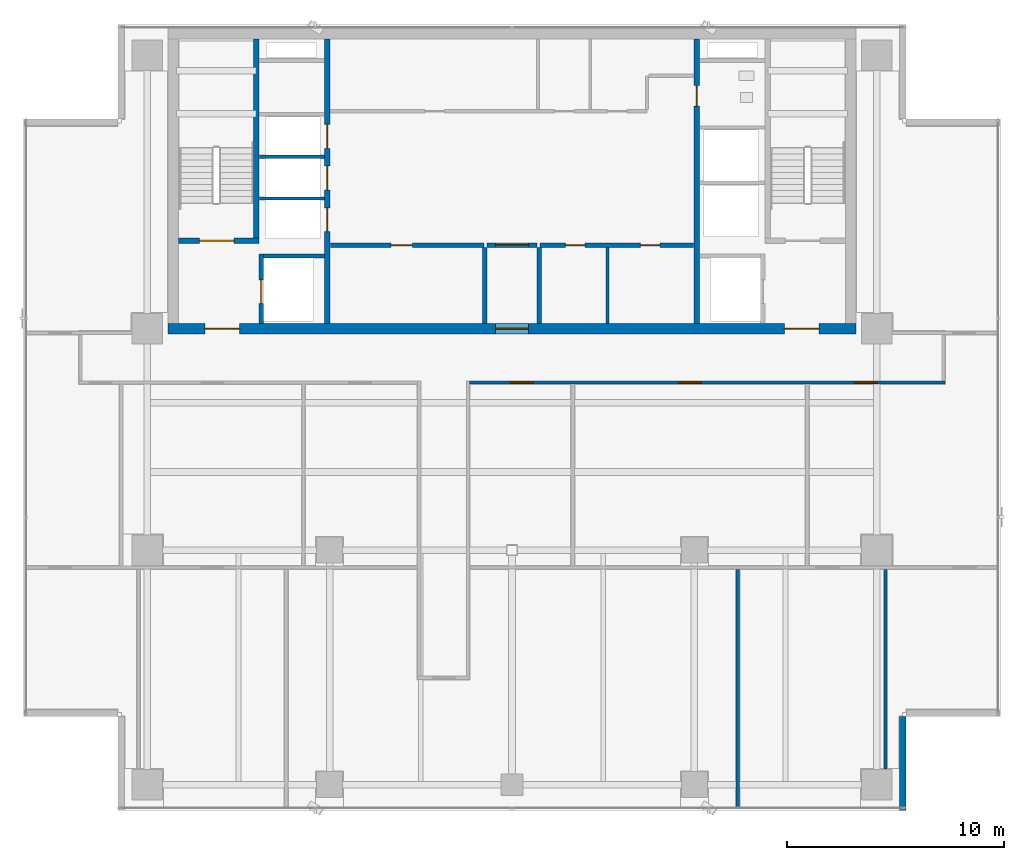
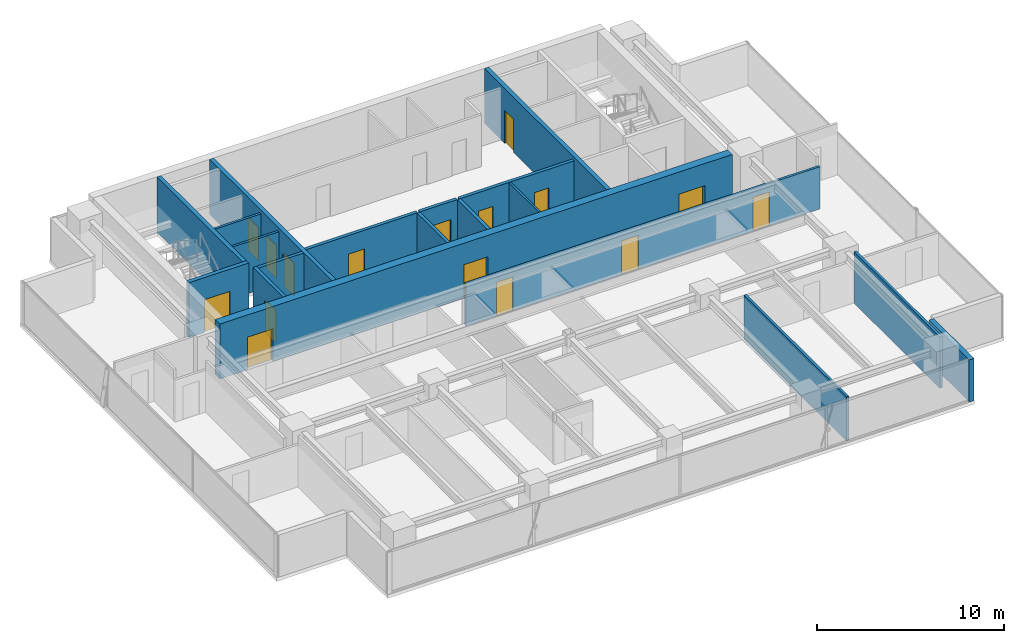
# One storey, part 20 of 26: 19 walls, 16 doors, 16 openings.
"""IFC4 building model written with IfcOpenShell, lengths in metres."""

from ifc_helpers import new_model, si_unit, direction, frame, frame_2d, origin, place, context, subcontext, project, spatial, rectangle, extrude, source, transform, mapped, material, layer, layer_set, type_object, element, fill, save


model = new_model("IFC4")

# Units and contexts
model_context = context("Model", 3, precision=1e-05, world=origin(), true_north=direction((0.0, 1.0)))
body_context = subcontext(model_context, "Body", "Model", "MODEL_VIEW")
ifc_project = project(units=[si_unit("LENGTHUNIT", "METRE"), si_unit("AREAUNIT", "SQUARE_METRE"), si_unit("VOLUMEUNIT", "CUBIC_METRE"), si_unit("PLANEANGLEUNIT", "RADIAN"), si_unit("MASSUNIT", "GRAM", prefix="KILO")], contexts=[model_context])

# Site, building, storey
site_placement = place(None, origin())
site = spatial("IfcSite", under=ifc_project, at=site_placement, CompositionType="ELEMENT")
building_placement = place(site_placement, origin())
building = spatial("IfcBuilding", under=site, at=building_placement, Name="Sumidabori Civic Tower", CompositionType="ELEMENT")
storey_placement = place(building_placement, frame((0.0, 0.0, 243.199951171875)))
storey = spatial("IfcBuildingStorey", under=building, at=storey_placement, Name="L63", CompositionType="ELEMENT", Elevation=243.199951171875)

# Wall
ifc_material_1 = material(Name="Concrete C50/60", Category="concrete")
ifc_layer_1 = layer(ifc_material_1, 0.199951171875, Name="Concrete C50/60")
ifc_layer_set_1 = layer_set([ifc_layer_1], Name="Concrete C50/60")
wall_type_1 = type_object("IfcWallType", Name="WL-SHAFT-200", PredefinedType="SHEAR", material=ifc_layer_set_1)
shared_shape_1 = source(origin(), body_context, "Body", "SweptSolid", [
    extrude(rectangle(XDim=2.824951171875, YDim=0.199951171875, at=frame_2d((1.41259765625, 0.0))), origin(), (0.0, 0.0, 1.0), 3.60009765625),
])
wall_1_placement = place(storey_placement, frame((-11.449951171875, 13.550048828125, 0.0), z_axis=(0.0, 0.0, 1.0), x_axis=(1.0, 0.0, 0.0)))
element("IfcWall", 1, at=wall_1_placement, inside=storey, type_object=wall_type_1, Name="Core Shear Wall L63 EL1-N", PredefinedType="SHEAR", context=body_context, shape_type="MappedRepresentation", body=[
    mapped(shared_shape_1, transform((0.0, 0.0, 0.0), x_axis=(1.0, 0.0, 0.0), y_axis=(0.0, 1.0, 0.0), z_axis=(0.0, 0.0, 1.0), scale=1.0)),
])

# Wall, openings, doors
ifc_layer_2 = layer(ifc_material_1, 0.5, Name="Concrete C50/60")
ifc_layer_set_2 = layer_set([ifc_layer_2], Name="Concrete C50/60")
wall_type_2 = type_object("IfcWallType", Name="WL-CORE-500", PredefinedType="SHEAR", material=ifc_layer_set_2)
shared_shape_2 = source(origin(), body_context, "Body", "SweptSolid", [
    extrude(rectangle(XDim=31.7001953125, YDim=0.5, at=frame_2d((15.85009765625, 0.0))), origin(), (0.0, 0.0, 1.0), 3.60009765625),
])
wall_2_placement = place(storey_placement, frame((-15.85009765625, 10.199951171875, 0.0), z_axis=(0.0, 0.0, 1.0), x_axis=(1.0, 0.0, 0.0)))
wall_2 = element("IfcWall", 2, at=wall_2_placement, inside=storey, type_object=wall_type_2, Name="Core Shear Wall L63 S", PredefinedType="SHEAR", context=body_context, shape_type="MappedRepresentation", body=[
    mapped(shared_shape_2, transform((0.0, 0.0, 0.0), x_axis=(1.0, 0.0, 0.0), y_axis=(0.0, 1.0, 0.0), z_axis=(0.0, 0.0, 1.0), scale=1.0)),
])
opening_1_placement = place(wall_2_placement, frame((1.699951171875, 0.0, 0.0)))
opening_1 = element("IfcOpeningElement", 3, at=opening_1_placement, cuts=wall_2, Name="Opening DR-FD4", PredefinedType="OPENING", context=body_context, shape_type="SweptSolid", body=[
    extrude(rectangle(XDim=1.60009765625, YDim=2.14990234375, at=frame_2d((0.800048828125, 1.074951171875))), frame((0.0, 0.261962890625, 0.0), z_axis=(0.0, -1.0, 0.0), x_axis=(1.0, 0.0, 0.0)), (0.0, 0.0, 1.0), 0.52392578125),
])
opening_2_placement = place(wall_2_placement, frame((28.39990234375, 0.0, 0.0)))
opening_2 = element("IfcOpeningElement", 4, at=opening_2_placement, cuts=wall_2, Name="Opening DR-FD4", PredefinedType="OPENING", context=body_context, shape_type="SweptSolid", body=[
    extrude(rectangle(XDim=1.60009765625, YDim=2.14990234375, at=frame_2d((0.800048828125, 1.074951171875))), frame((0.0, 0.261962890625, 0.0), z_axis=(0.0, -1.0, 0.0), x_axis=(1.0, 0.0, 0.0)), (0.0, 0.0, 1.0), 0.52392578125),
])
opening_3_placement = place(wall_2_placement, frame((15.10009765625, 0.0, 0.0)))
opening_3 = element("IfcOpeningElement", 5, at=opening_3_placement, cuts=wall_2, Name="Opening DR-FD3", PredefinedType="OPENING", context=body_context, shape_type="SweptSolid", body=[
    extrude(rectangle(XDim=1.5, YDim=2.199951171875, at=frame_2d((0.75, 1.10009765625))), frame((0.0, 0.261962890625, 0.0), z_axis=(0.0, -1.0, 0.0), x_axis=(1.0, 0.0, 0.0)), (0.0, 0.0, 1.0), 0.52392578125),
])
ifc_material_2 = material(Name="Steel SN490", Category="steel")
door_type_1 = type_object("IfcDoorType", Name="DR-FD4", OperationType="DOUBLE_DOOR_SINGLE_SWING", PredefinedType="DOOR", material=ifc_material_2)
shared_shape_3 = source(origin(), body_context, "Body", "SweptSolid", [
    extrude(rectangle(XDim=1.60009765625, YDim=2.14990234375, at=frame_2d((0.800048828125, 1.074951171875))), frame((0.0, 0.02490234375, 0.0), z_axis=(0.0, -1.0, 0.0), x_axis=(1.0, 0.0, 0.0)), (0.0, 0.0, 1.0), 0.050048828125),
])
door_1_placement = place(opening_1_placement, origin())
door_1 = element("IfcDoor", 6, at=door_1_placement, inside=storey, type_object=door_type_1, Name="Door DR:L63:ELOB-W", OperationType="DOUBLE_DOOR_SINGLE_SWING", OverallHeight=2.14990234375, OverallWidth=1.60009765625, PredefinedType="DOOR", context=body_context, shape_type="MappedRepresentation", body=[
    mapped(shared_shape_3, transform((0.0, 0.0, 0.0), x_axis=(1.0, 0.0, 0.0), y_axis=(0.0, 1.0, 0.0), z_axis=(0.0, 0.0, 1.0), scale=1.0)),
])
fill(opening_1, door_1)
door_2_placement = place(opening_2_placement, origin())
door_2 = element("IfcDoor", 7, at=door_2_placement, inside=storey, type_object=door_type_1, Name="Door DR:L63:ELOB-E", OperationType="DOUBLE_DOOR_SINGLE_SWING", OverallHeight=2.14990234375, OverallWidth=1.60009765625, PredefinedType="DOOR", context=body_context, shape_type="MappedRepresentation", body=[
    mapped(shared_shape_3, transform((0.0, 0.0, 0.0), x_axis=(1.0, 0.0, 0.0), y_axis=(0.0, 1.0, 0.0), z_axis=(0.0, 0.0, 1.0), scale=1.0)),
])
fill(opening_2, door_2)
door_type_2 = type_object("IfcDoorType", Name="DR-FD-DBL", OperationType="DOUBLE_DOOR_SINGLE_SWING", PredefinedType="DOOR", material=ifc_material_2)
shared_shape_4 = source(origin(), body_context, "Body", "SweptSolid", [
    extrude(rectangle(XDim=1.5, YDim=2.199951171875, at=frame_2d((0.75, 1.10009765625))), frame((0.0, 0.02490234375, 0.0), z_axis=(0.0, -1.0, 0.0), x_axis=(1.0, 0.0, 0.0)), (0.0, 0.0, 1.0), 0.050048828125),
])
door_3_placement = place(opening_3_placement, origin())
door_3 = element("IfcDoor", 8, at=door_3_placement, inside=storey, type_object=door_type_2, Name="Door DR:L63:THROAT-OUT", OperationType="DOUBLE_DOOR_SINGLE_SWING", OverallHeight=2.199951171875, OverallWidth=1.5, PredefinedType="DOOR", context=body_context, shape_type="MappedRepresentation", body=[
    mapped(shared_shape_4, transform((0.0, 0.0, 0.0), x_axis=(1.0, 0.0, 0.0), y_axis=(0.0, 1.0, 0.0), z_axis=(0.0, 0.0, 1.0), scale=1.0)),
])
fill(opening_3, door_3)

ifc_layer_3 = layer(ifc_material_1, 0.25, Name="Concrete C50/60")
ifc_layer_set_3 = layer_set([ifc_layer_3], Name="Concrete C50/60")
wall_type_3 = type_object("IfcWallType", Name="WL-SHAFT-250", PredefinedType="SHEAR", material=ifc_layer_set_3)
shared_shape_5 = source(origin(), body_context, "Body", "SweptSolid", [
    extrude(rectangle(XDim=13.10009765625, YDim=0.25, at=frame_2d((6.550048828125, 0.0))), origin(), (0.0, 0.0, 1.0), 3.60009765625),
])
wall_3_placement = place(storey_placement, frame((-8.5, 10.449951171875, 0.0), z_axis=(0.0, 0.0, 1.0), x_axis=(0.0, 1.0, 0.0)))
wall_3 = element("IfcWall", 9, at=wall_3_placement, inside=storey, type_object=wall_type_3, Name="Core Shear Wall L63 WEB-W", PredefinedType="SHEAR", context=body_context, shape_type="MappedRepresentation", body=[
    mapped(shared_shape_5, transform((0.0, 0.0, 0.0), x_axis=(1.0, 0.0, 0.0), y_axis=(0.0, 1.0, 0.0), z_axis=(0.0, 0.0, 1.0), scale=1.0)),
])
opening_4_placement = place(wall_3_placement, frame((4.219970703125, 0.0, 0.0)))
opening_4 = element("IfcOpeningElement", 10, at=opening_4_placement, cuts=wall_3, Name="Opening LD-1", PredefinedType="OPENING", context=body_context, shape_type="SweptSolid", body=[
    extrude(rectangle(XDim=1.10009765625, YDim=2.14990234375, at=frame_2d((0.550048828125, 1.074951171875))), frame((0.0, 0.136962890625, 0.0), z_axis=(0.0, -1.0, 0.0), x_axis=(1.0, 0.0, 0.0)), (0.0, 0.0, 1.0), 0.27392578125),
])
opening_5_placement = place(wall_3_placement, frame((6.139892578125, 0.0, 0.0)))
opening_5 = element("IfcOpeningElement", 11, at=opening_5_placement, cuts=wall_3, Name="Opening LD-1", PredefinedType="OPENING", context=body_context, shape_type="SweptSolid", body=[
    extrude(rectangle(XDim=1.10009765625, YDim=2.14990234375, at=frame_2d((0.550048828125, 1.074951171875))), frame((0.0, 0.136962890625, 0.0), z_axis=(0.0, -1.0, 0.0), x_axis=(1.0, 0.0, 0.0)), (0.0, 0.0, 1.0), 0.27392578125),
])
opening_6_placement = place(wall_3_placement, frame((8.06005859375, 0.0, 0.0)))
opening_6 = element("IfcOpeningElement", 12, at=opening_6_placement, cuts=wall_3, Name="Opening LD-1", PredefinedType="OPENING", context=body_context, shape_type="SweptSolid", body=[
    extrude(rectangle(XDim=1.10009765625, YDim=2.14990234375, at=frame_2d((0.550048828125, 1.074951171875))), frame((0.0, 0.136962890625, 0.0), z_axis=(0.0, -1.0, 0.0), x_axis=(1.0, 0.0, 0.0)), (0.0, 0.0, 1.0), 0.27392578125),
])
ifc_material_3 = material(Name="Stainless Steel Hairline Finish", Category="steel")
door_type_3 = type_object("IfcDoorType", Name="DR-LD1", OperationType="DOUBLE_DOOR_SLIDING", PredefinedType="DOOR", material=ifc_material_3)
shared_shape_6 = source(origin(), body_context, "Body", "SweptSolid", [
    extrude(rectangle(XDim=1.10009765625, YDim=2.14990234375, at=frame_2d((0.550048828125, 1.074951171875))), frame((0.0, 0.02490234375, 0.0), z_axis=(0.0, -1.0, 0.0), x_axis=(1.0, 0.0, 0.0)), (0.0, 0.0, 1.0), 0.050048828125),
])
door_4_placement = place(opening_4_placement, origin())
door_4 = element("IfcDoor", 13, at=door_4_placement, inside=storey, type_object=door_type_3, Name="Door DR:L63:LD-PLH1", OperationType="DOUBLE_DOOR_SLIDING", OverallHeight=2.14990234375, OverallWidth=1.10009765625, PredefinedType="DOOR", context=body_context, shape_type="MappedRepresentation", body=[
    mapped(shared_shape_6, transform((0.0, 0.0, 0.0), x_axis=(1.0, 0.0, 0.0), y_axis=(0.0, 1.0, 0.0), z_axis=(0.0, 0.0, 1.0), scale=1.0)),
])
fill(opening_4, door_4)
door_5_placement = place(opening_5_placement, origin())
door_5 = element("IfcDoor", 14, at=door_5_placement, inside=storey, type_object=door_type_3, Name="Door DR:L63:LD-PLH2", OperationType="DOUBLE_DOOR_SLIDING", OverallHeight=2.14990234375, OverallWidth=1.10009765625, PredefinedType="DOOR", context=body_context, shape_type="MappedRepresentation", body=[
    mapped(shared_shape_6, transform((0.0, 0.0, 0.0), x_axis=(1.0, 0.0, 0.0), y_axis=(0.0, 1.0, 0.0), z_axis=(0.0, 0.0, 1.0), scale=1.0)),
])
fill(opening_5, door_5)
door_6_placement = place(opening_6_placement, origin())
door_6 = element("IfcDoor", 15, at=door_6_placement, inside=storey, type_object=door_type_3, Name="Door DR:L63:LD-PLH3", OperationType="DOUBLE_DOOR_SLIDING", OverallHeight=2.14990234375, OverallWidth=1.10009765625, PredefinedType="DOOR", context=body_context, shape_type="MappedRepresentation", body=[
    mapped(shared_shape_6, transform((0.0, 0.0, 0.0), x_axis=(1.0, 0.0, 0.0), y_axis=(0.0, 1.0, 0.0), z_axis=(0.0, 0.0, 1.0), scale=1.0)),
])
fill(opening_6, door_6)

# Wall, opening, door
wall_4_placement = place(storey_placement, frame((8.5, 10.449951171875, 0.0), z_axis=(0.0, 0.0, 1.0), x_axis=(0.0, 1.0, 0.0)))
wall_4 = element("IfcWall", 16, at=wall_4_placement, inside=storey, type_object=wall_type_3, Name="Core Shear Wall L63 WEB-E", PredefinedType="SHEAR", context=body_context, shape_type="MappedRepresentation", body=[
    mapped(shared_shape_5, transform((0.0, 0.0, 0.0), x_axis=(1.0, 0.0, 0.0), y_axis=(0.0, 1.0, 0.0), z_axis=(0.0, 0.0, 1.0), scale=1.0)),
])
opening_7_placement = place(wall_4_placement, frame((10.0, 0.0, 0.0)))
opening_7 = element("IfcOpeningElement", 17, at=opening_7_placement, cuts=wall_4, Name="Opening DR-2", PredefinedType="OPENING", context=body_context, shape_type="SweptSolid", body=[
    extrude(rectangle(XDim=0.949951171875, YDim=2.14990234375, at=frame_2d((0.47509765625, 1.074951171875))), frame((0.0, 0.136962890625, 0.0), z_axis=(0.0, -1.0, 0.0), x_axis=(1.0, 0.0, 0.0)), (0.0, 0.0, 1.0), 0.27392578125),
])
ifc_material_4 = material(Name="Japanese Hinoki Timber", Category="wood")
door_type_4 = type_object("IfcDoorType", Name="DR-INT-950", OperationType="NOTDEFINED", PredefinedType="DOOR", material=ifc_material_4)
shared_shape_7 = source(origin(), body_context, "Body", "SweptSolid", [
    extrude(rectangle(XDim=0.949951171875, YDim=2.14990234375, at=frame_2d((0.47509765625, 1.074951171875))), frame((0.0, 0.02490234375, 0.0), z_axis=(0.0, -1.0, 0.0), x_axis=(1.0, 0.0, 0.0)), (0.0, 0.0, 1.0), 0.050048828125),
])
door_7_placement = place(opening_7_placement, origin())
door_7 = element("IfcDoor", 18, at=door_7_placement, inside=storey, type_object=door_type_4, Name="Door DR:L63:WC-ACC", OperationType="SINGLE_SWING_RIGHT", OverallHeight=2.14990234375, OverallWidth=0.949951171875, PredefinedType="DOOR", context=body_context, shape_type="MappedRepresentation", body=[
    mapped(shared_shape_7, transform((0.0, 0.0, 0.0), x_axis=(1.0, 0.0, 0.0), y_axis=(0.0, 1.0, 0.0), z_axis=(0.0, 0.0, 1.0), scale=1.0)),
])
fill(opening_7, door_7)

shared_shape_8 = source(origin(), body_context, "Body", "SweptSolid", [
    extrude(rectangle(XDim=3.705078125, YDim=0.25, at=frame_2d((1.8525390625, 0.0))), origin(), (0.0, 0.0, 1.0), 3.60009765625),
])
wall_5_placement = place(storey_placement, frame((-15.35009765625, 14.25, 0.0), z_axis=(0.0, 0.0, 1.0), x_axis=(1.0, 0.0, 0.0)))
wall_5 = element("IfcWall", 19, at=wall_5_placement, inside=storey, type_object=wall_type_3, Name="Core Shear Wall L63 ST1-S", PredefinedType="SHEAR", context=body_context, shape_type="MappedRepresentation", body=[
    mapped(shared_shape_8, transform((0.0, 0.0, 0.0), x_axis=(1.0, 0.0, 0.0), y_axis=(0.0, 1.0, 0.0), z_axis=(0.0, 0.0, 1.0), scale=1.0)),
])
opening_8_placement = place(wall_5_placement, frame((0.949951171875, 0.0, 0.0)))
opening_8 = element("IfcOpeningElement", 20, at=opening_8_placement, cuts=wall_5, Name="Opening DR-FD4", PredefinedType="OPENING", context=body_context, shape_type="SweptSolid", body=[
    extrude(rectangle(XDim=1.60009765625, YDim=2.14990234375, at=frame_2d((0.800048828125, 1.074951171875))), frame((0.0, 0.136962890625, 0.0), z_axis=(0.0, -1.0, 0.0), x_axis=(1.0, 0.0, 0.0)), (0.0, 0.0, 1.0), 0.27392578125),
])
door_8_placement = place(opening_8_placement, origin())
door_8 = element("IfcDoor", 21, at=door_8_placement, inside=storey, type_object=door_type_1, Name="Door DR:L63:ST1", OperationType="DOUBLE_DOOR_SINGLE_SWING", OverallHeight=2.14990234375, OverallWidth=1.60009765625, PredefinedType="DOOR", context=body_context, shape_type="MappedRepresentation", body=[
    mapped(shared_shape_3, transform((0.0, 0.0, 0.0), x_axis=(1.0, 0.0, 0.0), y_axis=(0.0, 1.0, 0.0), z_axis=(0.0, 0.0, 1.0), scale=1.0)),
])
fill(opening_8, door_8)

# Wall
shared_shape_9 = source(origin(), body_context, "Body", "SweptSolid", [
    extrude(rectangle(XDim=9.175048828125, YDim=0.25, at=frame_2d((4.58740234375, 0.0))), origin(), (0.0, 0.0, 1.0), 3.60009765625),
])
wall_6_placement = place(storey_placement, frame((-11.77001953125, 14.375, 0.0), z_axis=(0.0, 0.0, 1.0), x_axis=(0.0, 1.0, 0.0)))
element("IfcWall", 22, at=wall_6_placement, inside=storey, type_object=wall_type_3, Name="Core Shear Wall L63 ST1-E", PredefinedType="SHEAR", context=body_context, shape_type="MappedRepresentation", body=[
    mapped(shared_shape_9, transform((0.0, 0.0, 0.0), x_axis=(1.0, 0.0, 0.0), y_axis=(0.0, 1.0, 0.0), z_axis=(0.0, 0.0, 1.0), scale=1.0)),
])

# Wall, opening, door
shared_shape_10 = source(origin(), body_context, "Body", "SweptSolid", [
    extrude(rectangle(XDim=3.199951171875, YDim=0.199951171875, at=frame_2d((1.60009765625, 0.0))), origin(), (0.0, 0.0, 1.0), 3.60009765625),
])
wall_7_placement = place(storey_placement, frame((-11.550048828125, 10.449951171875, 0.0), z_axis=(0.0, 0.0, 1.0), x_axis=(0.0, 1.0, 0.0)))
wall_7 = element("IfcWall", 23, at=wall_7_placement, inside=storey, type_object=wall_type_1, Name="Core Shear Wall L63 EL1-W", PredefinedType="SHEAR", context=body_context, shape_type="MappedRepresentation", body=[
    mapped(shared_shape_10, transform((0.0, 0.0, 0.0), x_axis=(1.0, 0.0, 0.0), y_axis=(0.0, 1.0, 0.0), z_axis=(0.0, 0.0, 1.0), scale=1.0)),
])
opening_9_placement = place(wall_7_placement, frame((0.89990234375, 0.0, 0.0)))
opening_9 = element("IfcOpeningElement", 24, at=opening_9_placement, cuts=wall_7, Name="Opening LD-2", PredefinedType="OPENING", context=body_context, shape_type="SweptSolid", body=[
    extrude(rectangle(XDim=1.10009765625, YDim=2.14990234375, at=frame_2d((0.550048828125, 1.074951171875))), frame((0.0, 0.11181640625, 0.0), z_axis=(0.0, -1.0, 0.0), x_axis=(1.0, 0.0, 0.0)), (0.0, 0.0, 1.0), 0.223876953125),
])
door_type_5 = type_object("IfcDoorType", Name="DR-LD2", OperationType="DOUBLE_DOOR_SLIDING", PredefinedType="DOOR", material=ifc_material_3)
door_9_placement = place(opening_9_placement, origin())
door_9 = element("IfcDoor", 25, at=door_9_placement, inside=storey, type_object=door_type_5, Name="Door DR:L63:LD-EL1", OperationType="DOUBLE_DOOR_SLIDING", OverallHeight=2.14990234375, OverallWidth=1.10009765625, PredefinedType="DOOR", context=body_context, shape_type="MappedRepresentation", body=[
    mapped(shared_shape_6, transform((0.0, 0.0, 0.0), x_axis=(1.0, 0.0, 0.0), y_axis=(0.0, 1.0, 0.0), z_axis=(0.0, 0.0, 1.0), scale=1.0)),
])
fill(opening_9, door_9)

# Walls
ifc_material_5 = material(Name="Precast concrete C40/50", Category="concrete")
ifc_layer_4 = layer(ifc_material_5, 0.300048828125, Name="Precast concrete C40/50")
ifc_layer_set_4 = layer_set([ifc_layer_4], Name="Precast concrete C40/50")
wall_type_4 = type_object("IfcWallType", Name="WL-EXT-POD300", PredefinedType="STANDARD", material=ifc_layer_set_4)
shared_shape_11 = source(origin(), body_context, "Body", "SweptSolid", [
    extrude(rectangle(XDim=4.31005859375, YDim=0.300048828125, at=frame_2d((2.155029296875, 0.0))), origin(), (0.0, 0.0, 1.0), 2.75),
])
wall_8_placement = place(storey_placement, frame((18.0, -11.97998046875, 0.0), z_axis=(0.0, 0.0, 1.0), x_axis=(0.0, 1.0, 0.0)))
element("IfcWall", 26, at=wall_8_placement, inside=storey, type_object=wall_type_4, Name="Notched Corner Spandrel Band L63-02", PredefinedType="STANDARD", context=body_context, shape_type="MappedRepresentation", body=[
    mapped(shared_shape_11, transform((0.0, 0.0, 0.0), x_axis=(1.0, 0.0, 0.0), y_axis=(0.0, 1.0, 0.0), z_axis=(0.0, 0.0, 1.0), scale=1.0)),
])
ifc_material_6 = material(Name="Gypsum Plasterboard Acoustic Partition")
ifc_layer_5 = layer(ifc_material_6, 0.14990234375, Name="Gypsum Plasterboard Acoustic Partition")
ifc_layer_set_5 = layer_set([ifc_layer_5], Name="Gypsum Plasterboard Acoustic Partition")
wall_type_5 = type_object("IfcWallType", Name="WL-PART-150", PredefinedType="PARTITIONING", material=ifc_layer_set_5)
shared_shape_12 = source(origin(), body_context, "Body", "SweptSolid", [
    extrude(rectangle(XDim=3.010009765625, YDim=0.14990234375, at=frame_2d((1.5048828125, 0.0))), origin(), (0.0, 0.0, 1.0), 3.3701171875),
])
for number, where, z_axis, x_axis, name in (
    (27, (-11.639892578125, 16.199951171875, 0.0), (0.0, 0.0, 1.0), (1.0, 0.0, 0.0), "Interior Partition WL:L63:DIV-PLH1"),
    (28, (-11.639892578125, 18.1201171875, 0.0), (0.0, 0.0, 1.0), (1.0, 0.0, 0.0), "Interior Partition WL:L63:DIV-PLH2"),
):
    element("IfcWall", number, at=place(storey_placement, frame(where, z_axis=z_axis, x_axis=x_axis)), inside=storey, type_object=wall_type_5, Name=name, PredefinedType="PARTITIONING", context=body_context, shape_type="MappedRepresentation", body=[
        mapped(shared_shape_12, transform((0.0, 0.0, 0.0), x_axis=(1.0, 0.0, 0.0), y_axis=(0.0, 1.0, 0.0), z_axis=(0.0, 0.0, 1.0), scale=1.0)),
    ])

# Wall, opening, door
ifc_material_7 = material(Name="Gypsum Plasterboard Fire Partition")
ifc_layer_6 = layer(ifc_material_7, 0.199951171875, Name="Gypsum Plasterboard Fire Partition")
ifc_layer_set_6 = layer_set([ifc_layer_6], Name="Gypsum Plasterboard Fire Partition")
wall_type_6 = type_object("IfcWallType", Name="WL-PART-FIRE", PredefinedType="PARTITIONING", material=ifc_layer_set_6)
shared_shape_13 = source(origin(), body_context, "Body", "SweptSolid", [
    extrude(rectangle(XDim=7.070068359375, YDim=0.199951171875, at=frame_2d((3.53515625, 0.0))), origin(), (0.0, 0.0, 1.0), 3.3701171875),
])
wall_9_placement = place(storey_placement, frame((-8.3701171875, 14.050048828125, 0.0), z_axis=(0.0, 0.0, 1.0), x_axis=(1.0, 0.0, 0.0)))
wall_9 = element("IfcWall", 29, at=wall_9_placement, inside=storey, type_object=wall_type_6, Name="Interior Partition WL:L63:CBAND-SW", PredefinedType="PARTITIONING", context=body_context, shape_type="MappedRepresentation", body=[
    mapped(shared_shape_13, transform((0.0, 0.0, 0.0), x_axis=(1.0, 0.0, 0.0), y_axis=(0.0, 1.0, 0.0), z_axis=(0.0, 0.0, 1.0), scale=1.0)),
])
opening_10_placement = place(wall_9_placement, frame((2.800048828125, 0.0, 0.0)))
opening_10 = element("IfcOpeningElement", 30, at=opening_10_placement, cuts=wall_9, Name="Opening DR-3", PredefinedType="OPENING", context=body_context, shape_type="SweptSolid", body=[
    extrude(rectangle(XDim=0.97998046875, YDim=2.14990234375, at=frame_2d((0.489990234375, 1.074951171875))), frame((0.0, 0.11181640625, 0.0), z_axis=(0.0, -1.0, 0.0), x_axis=(1.0, 0.0, 0.0)), (0.0, 0.0, 1.0), 0.223876953125),
])
door_type_6 = type_object("IfcDoorType", Name="DR-INT-980", OperationType="NOTDEFINED", PredefinedType="DOOR", material=ifc_material_4)
shared_shape_14 = source(origin(), body_context, "Body", "SweptSolid", [
    extrude(rectangle(XDim=0.97998046875, YDim=2.14990234375, at=frame_2d((0.489990234375, 1.074951171875))), frame((0.0, 0.02490234375, 0.0), z_axis=(0.0, -1.0, 0.0), x_axis=(1.0, 0.0, 0.0)), (0.0, 0.0, 1.0), 0.050048828125),
])
door_10_placement = place(opening_10_placement, origin())
door_10 = element("IfcDoor", 31, at=door_10_placement, inside=storey, type_object=door_type_6, Name="Door DR:L63:REC-B1", OperationType="SINGLE_SWING_LEFT", OverallHeight=2.14990234375, OverallWidth=0.97998046875, PredefinedType="DOOR", context=body_context, shape_type="MappedRepresentation", body=[
    mapped(shared_shape_14, transform((0.0, 0.0, 0.0), x_axis=(1.0, 0.0, 0.0), y_axis=(0.0, 1.0, 0.0), z_axis=(0.0, 0.0, 1.0), scale=1.0)),
])
fill(opening_10, door_10)

# Wall, openings, doors
wall_10_placement = place(storey_placement, frame((1.300048828125, 14.050048828125, 0.0), z_axis=(0.0, 0.0, 1.0), x_axis=(1.0, 0.0, 0.0)))
wall_10 = element("IfcWall", 32, at=wall_10_placement, inside=storey, type_object=wall_type_6, Name="Interior Partition WL:L63:CBAND-SE", PredefinedType="PARTITIONING", context=body_context, shape_type="MappedRepresentation", body=[
    mapped(shared_shape_13, transform((0.0, 0.0, 0.0), x_axis=(1.0, 0.0, 0.0), y_axis=(0.0, 1.0, 0.0), z_axis=(0.0, 0.0, 1.0), scale=1.0)),
])
opening_11_placement = place(wall_10_placement, frame((1.159912109375, 0.0, 0.0)))
opening_11 = element("IfcOpeningElement", 33, at=opening_11_placement, cuts=wall_10, Name="Opening DR-1", PredefinedType="OPENING", context=body_context, shape_type="SweptSolid", body=[
    extrude(rectangle(XDim=0.89990234375, YDim=2.14990234375, at=frame_2d((0.449951171875, 1.074951171875))), frame((0.0, 0.11181640625, 0.0), z_axis=(0.0, -1.0, 0.0), x_axis=(1.0, 0.0, 0.0)), (0.0, 0.0, 1.0), 0.223876953125),
])
opening_12_placement = place(wall_10_placement, frame((4.610107421875, 0.0, 0.0)))
opening_12 = element("IfcOpeningElement", 34, at=opening_12_placement, cuts=wall_10, Name="Opening DR-1", PredefinedType="OPENING", context=body_context, shape_type="SweptSolid", body=[
    extrude(rectangle(XDim=0.89990234375, YDim=2.14990234375, at=frame_2d((0.449951171875, 1.074951171875))), frame((0.0, 0.11181640625, 0.0), z_axis=(0.0, -1.0, 0.0), x_axis=(1.0, 0.0, 0.0)), (0.0, 0.0, 1.0), 0.223876953125),
])
door_type_7 = type_object("IfcDoorType", Name="DR-INT-900", OperationType="NOTDEFINED", PredefinedType="DOOR", material=ifc_material_4)
shared_shape_15 = source(origin(), body_context, "Body", "SweptSolid", [
    extrude(rectangle(XDim=0.89990234375, YDim=2.14990234375, at=frame_2d((0.449951171875, 1.074951171875))), frame((0.0, 0.02490234375, 0.0), z_axis=(0.0, -1.0, 0.0), x_axis=(1.0, 0.0, 0.0)), (0.0, 0.0, 1.0), 0.050048828125),
])
door_11_placement = place(opening_11_placement, origin())
door_11 = element("IfcDoor", 35, at=door_11_placement, inside=storey, type_object=door_type_7, Name="Door DR:L63:REC-B2A", OperationType="SINGLE_SWING_LEFT", OverallHeight=2.14990234375, OverallWidth=0.89990234375, PredefinedType="DOOR", context=body_context, shape_type="MappedRepresentation", body=[
    mapped(shared_shape_15, transform((0.0, 0.0, 0.0), x_axis=(1.0, 0.0, 0.0), y_axis=(0.0, 1.0, 0.0), z_axis=(0.0, 0.0, 1.0), scale=1.0)),
])
fill(opening_11, door_11)
door_12_placement = place(opening_12_placement, origin())
door_12 = element("IfcDoor", 36, at=door_12_placement, inside=storey, type_object=door_type_7, Name="Door DR:L63:REC-B2B", OperationType="SINGLE_SWING_RIGHT", OverallHeight=2.14990234375, OverallWidth=0.89990234375, PredefinedType="DOOR", context=body_context, shape_type="MappedRepresentation", body=[
    mapped(shared_shape_15, transform((0.0, 0.0, 0.0), x_axis=(1.0, 0.0, 0.0), y_axis=(0.0, 1.0, 0.0), z_axis=(0.0, 0.0, 1.0), scale=1.0)),
])
fill(opening_12, door_12)

# Walls
shared_shape_16 = source(origin(), body_context, "Body", "SweptSolid", [
    extrude(rectangle(XDim=3.489990234375, YDim=0.199951171875, at=frame_2d((1.7451171875, 0.0))), origin(), (0.0, 0.0, 1.0), 3.3701171875),
])
for number, where, z_axis, x_axis, name in (
    (37, (-1.25, 10.449951171875, 0.0), (0.0, 0.0, 1.0), (0.0, 1.0, 0.0), "Interior Partition WL:L63:THROAT-W"),
    (38, (1.25, 10.449951171875, 0.0), (0.0, 0.0, 1.0), (0.0, 1.0, 0.0), "Interior Partition WL:L63:THROAT-E"),
):
    element("IfcWall", number, at=place(storey_placement, frame(where, z_axis=z_axis, x_axis=x_axis)), inside=storey, type_object=wall_type_6, Name=name, PredefinedType="PARTITIONING", context=body_context, shape_type="MappedRepresentation", body=[
        mapped(shared_shape_16, transform((0.0, 0.0, 0.0), x_axis=(1.0, 0.0, 0.0), y_axis=(0.0, 1.0, 0.0), z_axis=(0.0, 0.0, 1.0), scale=1.0)),
    ])

# Wall, opening, door
shared_shape_17 = source(origin(), body_context, "Body", "SweptSolid", [
    extrude(rectangle(XDim=2.2998046875, YDim=0.199951171875, at=frame_2d((1.14990234375, 0.0))), origin(), (0.0, 0.0, 1.0), 3.3701171875),
])
wall_11_placement = place(storey_placement, frame((-1.14990234375, 14.050048828125, 0.0), z_axis=(0.0, 0.0, 1.0), x_axis=(1.0, 0.0, 0.0)))
wall_11 = element("IfcWall", 39, at=wall_11_placement, inside=storey, type_object=wall_type_6, Name="Interior Partition WL:L63:THROAT-N", PredefinedType="PARTITIONING", context=body_context, shape_type="MappedRepresentation", body=[
    mapped(shared_shape_17, transform((0.0, 0.0, 0.0), x_axis=(1.0, 0.0, 0.0), y_axis=(0.0, 1.0, 0.0), z_axis=(0.0, 0.0, 1.0), scale=1.0)),
])
opening_13_placement = place(wall_11_placement, frame((0.39990234375, 0.0, 0.0)))
opening_13 = element("IfcOpeningElement", 40, at=opening_13_placement, cuts=wall_11, Name="Opening DR-FD3", PredefinedType="OPENING", context=body_context, shape_type="SweptSolid", body=[
    extrude(rectangle(XDim=1.5, YDim=2.199951171875, at=frame_2d((0.75, 1.10009765625))), frame((0.0, 0.11181640625, 0.0), z_axis=(0.0, -1.0, 0.0), x_axis=(1.0, 0.0, 0.0)), (0.0, 0.0, 1.0), 0.223876953125),
])
door_13_placement = place(opening_13_placement, origin())
door_13 = element("IfcDoor", 41, at=door_13_placement, inside=storey, type_object=door_type_2, Name="Door DR:L63:THROAT-IN", OperationType="DOUBLE_DOOR_SINGLE_SWING", OverallHeight=2.199951171875, OverallWidth=1.5, PredefinedType="DOOR", context=body_context, shape_type="MappedRepresentation", body=[
    mapped(shared_shape_4, transform((0.0, 0.0, 0.0), x_axis=(1.0, 0.0, 0.0), y_axis=(0.0, 1.0, 0.0), z_axis=(0.0, 0.0, 1.0), scale=1.0)),
])
fill(opening_13, door_13)

# Wall
ifc_layer_7 = layer(ifc_material_6, 0.1201171875, Name="Gypsum Plasterboard Acoustic Partition")
ifc_layer_set_7 = layer_set([ifc_layer_7], Name="Gypsum Plasterboard Acoustic Partition")
wall_type_7 = type_object("IfcWallType", Name="WL-PART-120", PredefinedType="PARTITIONING", material=ifc_layer_set_7)
shared_shape_18 = source(origin(), body_context, "Body", "SweptSolid", [
    extrude(rectangle(XDim=3.489990234375, YDim=0.1201171875, at=frame_2d((1.7451171875, 0.0))), origin(), (0.0, 0.0, 1.0), 3.3701171875),
])
wall_12_placement = place(storey_placement, frame((4.39990234375, 10.449951171875, 0.0), z_axis=(0.0, 0.0, 1.0), x_axis=(0.0, 1.0, 0.0)))
element("IfcWall", 42, at=wall_12_placement, inside=storey, type_object=wall_type_7, Name="Interior Partition WL:L63:REC-B2-SP", PredefinedType="PARTITIONING", context=body_context, shape_type="MappedRepresentation", body=[
    mapped(shared_shape_18, transform((0.0, 0.0, 0.0), x_axis=(1.0, 0.0, 0.0), y_axis=(0.0, 1.0, 0.0), z_axis=(0.0, 0.0, 1.0), scale=1.0)),
])

# Wall, openings, doors
shared_shape_19 = source(origin(), body_context, "Body", "SweptSolid", [
    extrude(rectangle(XDim=21.89990234375, YDim=0.14990234375, at=frame_2d((10.949951171875, 0.0))), origin(), (0.0, 0.0, 1.0), 2.755126953125),
])
wall_13_placement = place(storey_placement, frame((-1.949951171875, 7.72509765625, 0.0), z_axis=(0.0, 0.0, 1.0), x_axis=(1.0, 0.0, 0.0)))
wall_13 = element("IfcWall", 43, at=wall_13_placement, inside=storey, type_object=wall_type_5, Name="Interior Partition WL:L63:CORR-SE", PredefinedType="PARTITIONING", context=body_context, shape_type="MappedRepresentation", body=[
    mapped(shared_shape_19, transform((0.0, 0.0, 0.0), x_axis=(1.0, 0.0, 0.0), y_axis=(0.0, 1.0, 0.0), z_axis=(0.0, 0.0, 1.0), scale=1.0)),
])
opening_14_placement = place(wall_13_placement, frame((17.742431640625, 0.0, 0.0)))
opening_14 = element("IfcOpeningElement", 44, at=opening_14_placement, cuts=wall_13, Name="Opening DR-4", PredefinedType="OPENING", context=body_context, shape_type="SweptSolid", body=[
    extrude(rectangle(XDim=1.0400390625, YDim=2.199951171875, at=frame_2d((0.52001953125, 1.10009765625))), frame((0.0, 0.0869140625, 0.0), z_axis=(0.0, -1.0, 0.0), x_axis=(1.0, 0.0, 0.0)), (0.0, 0.0, 1.0), 0.173828125),
])
opening_15_placement = place(wall_13_placement, frame((1.87744140625, 0.0, 0.0)))
opening_15 = element("IfcOpeningElement", 45, at=opening_15_placement, cuts=wall_13, Name="Opening DR-4", PredefinedType="OPENING", context=body_context, shape_type="SweptSolid", body=[
    extrude(rectangle(XDim=1.0400390625, YDim=2.199951171875, at=frame_2d((0.52001953125, 1.10009765625))), frame((0.0, 0.0869140625, 0.0), z_axis=(0.0, -1.0, 0.0), x_axis=(1.0, 0.0, 0.0)), (0.0, 0.0, 1.0), 0.173828125),
])
opening_16_placement = place(wall_13_placement, frame((9.6298828125, 0.0, 0.0)))
opening_16 = element("IfcOpeningElement", 46, at=opening_16_placement, cuts=wall_13, Name="Opening DR-4", PredefinedType="OPENING", context=body_context, shape_type="SweptSolid", body=[
    extrude(rectangle(XDim=1.0400390625, YDim=2.199951171875, at=frame_2d((0.52001953125, 1.10009765625))), frame((0.0, 0.0869140625, 0.0), z_axis=(0.0, -1.0, 0.0), x_axis=(1.0, 0.0, 0.0)), (0.0, 0.0, 1.0), 0.173828125),
])
door_type_8 = type_object("IfcDoorType", Name="DR-INT-1040", OperationType="NOTDEFINED", PredefinedType="DOOR", material=ifc_material_4)
shared_shape_20 = source(origin(), body_context, "Body", "SweptSolid", [
    extrude(rectangle(XDim=1.0400390625, YDim=2.199951171875, at=frame_2d((0.52001953125, 1.10009765625))), frame((0.0, 0.02490234375, 0.0), z_axis=(0.0, -1.0, 0.0), x_axis=(1.0, 0.0, 0.0)), (0.0, 0.0, 1.0), 0.050048828125),
])
door_14_placement = place(opening_14_placement, origin())
door_14 = element("IfcDoor", 47, at=door_14_placement, inside=storey, type_object=door_type_8, Name="Door DR:L63:D02", OperationType="SINGLE_SWING_RIGHT", OverallHeight=2.199951171875, OverallWidth=1.0400390625, PredefinedType="DOOR", context=body_context, shape_type="MappedRepresentation", body=[
    mapped(shared_shape_20, transform((0.0, 0.0, 0.0), x_axis=(1.0, 0.0, 0.0), y_axis=(0.0, 1.0, 0.0), z_axis=(0.0, 0.0, 1.0), scale=1.0)),
])
fill(opening_14, door_14)
door_15_placement = place(opening_15_placement, origin())
door_15 = element("IfcDoor", 48, at=door_15_placement, inside=storey, type_object=door_type_8, Name="Door DR:L63:D05", OperationType="SINGLE_SWING_LEFT", OverallHeight=2.199951171875, OverallWidth=1.0400390625, PredefinedType="DOOR", context=body_context, shape_type="MappedRepresentation", body=[
    mapped(shared_shape_20, transform((0.0, 0.0, 0.0), x_axis=(1.0, 0.0, 0.0), y_axis=(0.0, 1.0, 0.0), z_axis=(0.0, 0.0, 1.0), scale=1.0)),
])
fill(opening_15, door_15)
door_16_placement = place(opening_16_placement, origin())
door_16 = element("IfcDoor", 49, at=door_16_placement, inside=storey, type_object=door_type_8, Name="Door DR:L63:D06", OperationType="SINGLE_SWING_RIGHT", OverallHeight=2.199951171875, OverallWidth=1.0400390625, PredefinedType="DOOR", context=body_context, shape_type="MappedRepresentation", body=[
    mapped(shared_shape_20, transform((0.0, 0.0, 0.0), x_axis=(1.0, 0.0, 0.0), y_axis=(0.0, 1.0, 0.0), z_axis=(0.0, 0.0, 1.0), scale=1.0)),
])
fill(opening_16, door_16)

# Walls
shared_shape_21 = source(origin(), body_context, "Body", "SweptSolid", [
    extrude(rectangle(XDim=9.210205078125, YDim=0.14990234375, at=frame_2d((4.60498046875, 0.0))), origin(), (0.0, 0.0, 1.0), 3.3701171875),
])
wall_14_placement = place(storey_placement, frame((17.199951171875, -10.090087890625, 0.0), z_axis=(0.0, 0.0, 1.0), x_axis=(0.0, 1.0, 0.0)))
element("IfcWall", 50, at=wall_14_placement, inside=storey, type_object=wall_type_5, Name="Interior Partition WL:L63:VX-S4", PredefinedType="PARTITIONING", context=body_context, shape_type="MappedRepresentation", body=[
    mapped(shared_shape_21, transform((0.0, 0.0, 0.0), x_axis=(1.0, 0.0, 0.0), y_axis=(0.0, 1.0, 0.0), z_axis=(0.0, 0.0, 1.0), scale=1.0)),
])
shared_shape_22 = source(origin(), body_context, "Body", "SweptSolid", [
    extrude(rectangle(XDim=10.97021484375, YDim=0.14990234375, at=frame_2d((5.485107421875, 0.0))), origin(), (0.0, 0.0, 1.0), 2.905029296875),
])
wall_15_placement = place(storey_placement, frame((10.39990234375, -11.85009765625, 0.0), z_axis=(0.0, 0.0, 1.0), x_axis=(0.0, 1.0, 0.0)))
element("IfcWall", 51, at=wall_15_placement, inside=storey, type_object=wall_type_5, Name="Interior Partition WL:L63:VX-S3", PredefinedType="PARTITIONING", context=body_context, shape_type="MappedRepresentation", body=[
    mapped(shared_shape_22, transform((0.0, 0.0, 0.0), x_axis=(1.0, 0.0, 0.0), y_axis=(0.0, 1.0, 0.0), z_axis=(0.0, 0.0, 1.0), scale=1.0)),
])

save(model, "model.ifc")
